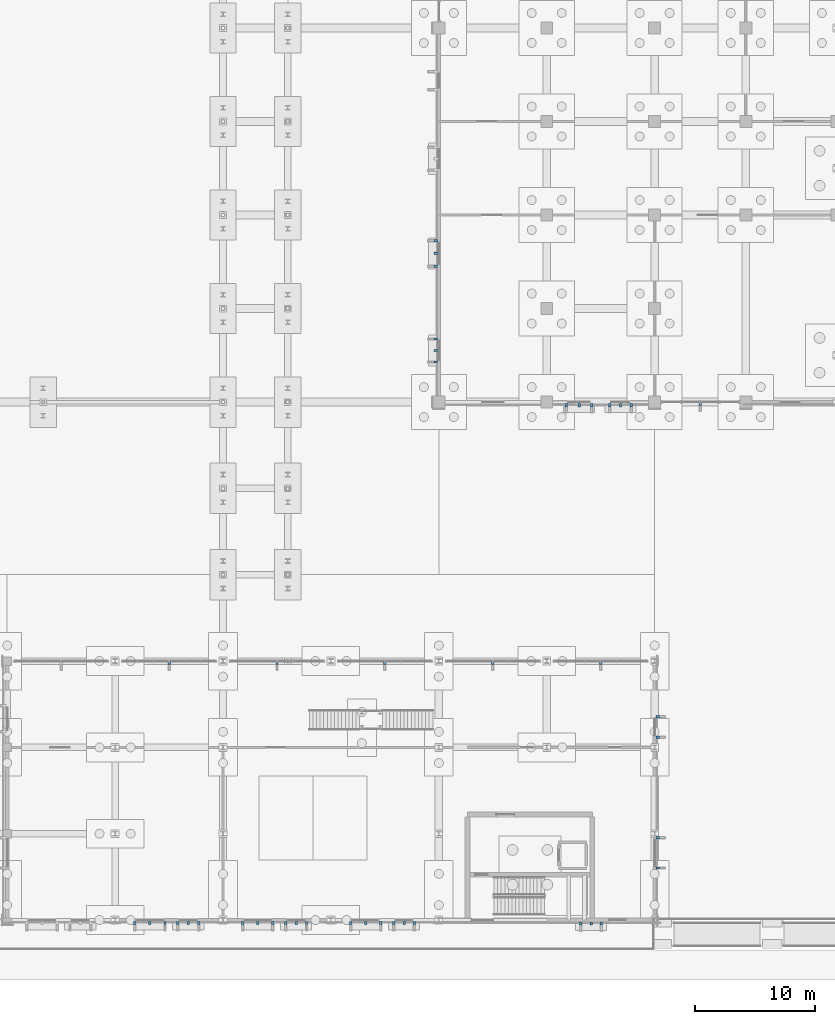
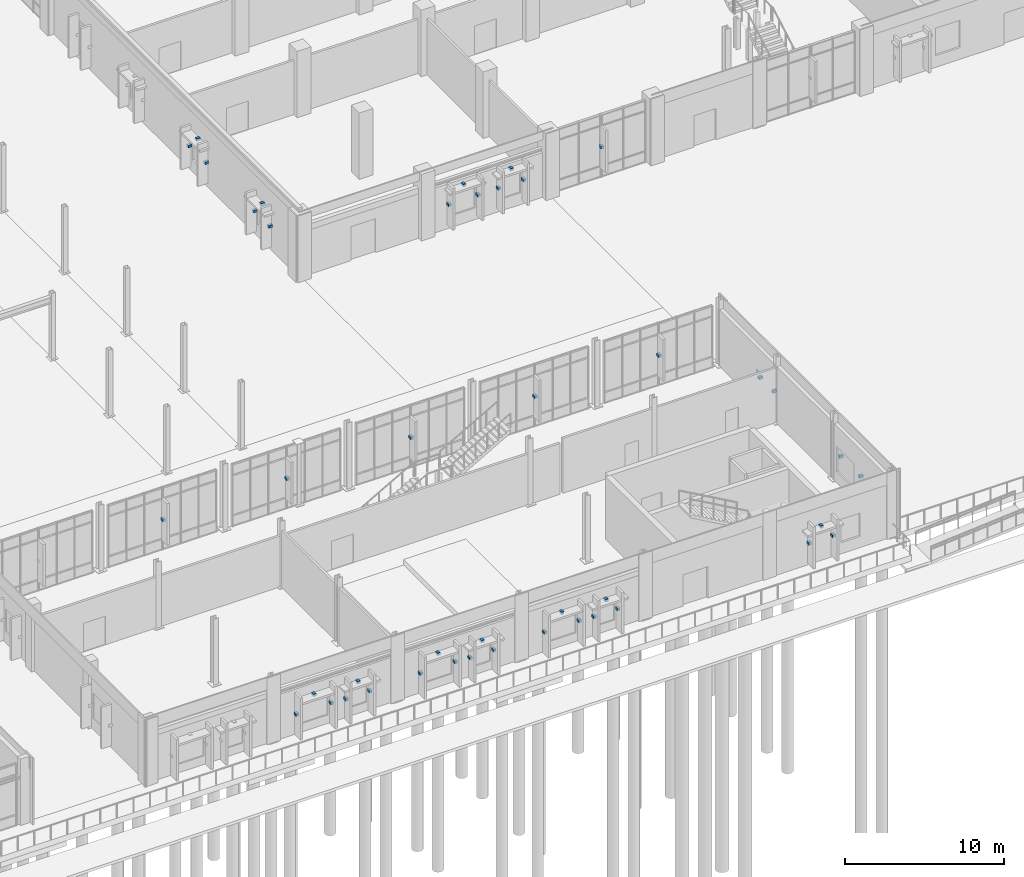
# One storey, part 74 of 94: 43 discrete accessories.
"""IFC4 building model written with IfcOpenShell, lengths in metres."""

from ifc_helpers import new_model, si_unit, direction, frame, origin, origin_2d, place, context, subcontext, project, spatial, rectangle, extrude, material, type_object, element, save


model = new_model("IFC4")

# Units and contexts
model_context = context("Model", 3, precision=1e-05, world=origin(), true_north=direction((0.0, 1.0)))
body_context = subcontext(model_context, "Body", "Model", "MODEL_VIEW")
ifc_project = project(units=[si_unit("LENGTHUNIT", "METRE"), si_unit("AREAUNIT", "SQUARE_METRE"), si_unit("VOLUMEUNIT", "CUBIC_METRE"), si_unit("PLANEANGLEUNIT", "RADIAN"), si_unit("MASSUNIT", "GRAM", prefix="KILO")], contexts=[model_context])

# Site, building, storey
site_placement = place(None, origin())
site = spatial("IfcSite", under=ifc_project, at=site_placement, CompositionType="ELEMENT")
building_placement = place(site_placement, origin())
building = spatial("IfcBuilding", under=site, at=building_placement, Name="Vervanel Yard Central Library", CompositionType="ELEMENT")
storey_placement = place(building_placement, origin())
storey = spatial("IfcBuildingStorey", under=building, at=storey_placement, Name="L00", CompositionType="ELEMENT", Elevation=0.0)

# Discrete accessories
ifc_material = material(Name="Steel ASTM A572 Grade 50", Category="steel")
discrete_accessory_type = type_object("IfcDiscreteAccessoryType", Name="Stainless Solar Fin Fixing Bracket", PredefinedType="BRACKET", material=ifc_material)
for number, where, z_axis, x_axis, name in (
    (1, (89.72998046875, 46.5400390625, 1.8251953125), (0.0, 0.0, 1.0), (0.0, 1.0, 0.0), "L00 Solar Fin Bracket 429"),
    (2, (89.72998046875, 48.4599609375, 1.8251953125), (0.0, 0.0, 1.0), (0.0, 1.0, 0.0), "L00 Solar Fin Bracket 430"),
    (3, (89.72998046875, 47.5, 2.9501953125), (0.0, 0.0, 1.0), (0.0, 1.0, 0.0), "L00 Sunhood Bracket 94"),
    (4, (89.72998046875, 54.5400390625, 1.85009765625), (0.0, 0.0, 1.0), (0.0, 1.0, 0.0), "L00 Solar Fin Bracket 431"),
    (5, (89.72998046875, 56.659912109375, 1.85009765625), (0.0, 0.0, 1.0), (0.0, 1.0, 0.0), "L00 Solar Fin Bracket 432"),
    (6, (89.72998046875, 55.60009765625, 3.0), (0.0, 0.0, 1.0), (0.0, 1.0, 0.0), "L00 Sunhood Bracket 95"),
    (7, (100.639892578125, 42.93994140625, 1.85009765625), (0.0, 0.0, 1.0), (1.0, 0.0, 0.0), "L00 Solar Fin Bracket 441"),
    (8, (102.760009765625, 42.93994140625, 1.85009765625), (0.0, 0.0, 1.0), (1.0, 0.0, 0.0), "L00 Solar Fin Bracket 442"),
    (9, (101.699951171875, 42.93994140625, 3.0), (0.0, 0.0, 1.0), (1.0, 0.0, 0.0), "L00 Sunhood Bracket 97"),
    (10, (104.239990234375, 42.93994140625, 1.85009765625), (0.0, 0.0, 1.0), (1.0, 0.0, 0.0), "L00 Solar Fin Bracket 443"),
    (11, (106.06005859375, 42.93994140625, 1.85009765625), (0.0, 0.0, 1.0), (1.0, 0.0, 0.0), "L00 Solar Fin Bracket 444"),
    (12, (105.14990234375, 42.93994140625, 3.0), (0.0, 0.0, 1.0), (1.0, 0.0, 0.0), "L00 Sunhood Bracket 98"),
    (13, (111.800048828125, 43.070068359375, 2.2900390625), (0.0, 0.0, 1.0), (1.0, 0.0, 0.0), "L00 Solar Fin Bracket 445"),
    (14, (64.639892578125, -0.25, 1.52490234375), (0.0, 0.0, 1.0), (1.0, 0.0, 0.0), "L00 Solar Fin Bracket 557"),
    (15, (67.159912109375, -0.25, 1.52490234375), (0.0, 0.0, 1.0), (1.0, 0.0, 0.0), "L00 Solar Fin Bracket 558"),
    (16, (65.89990234375, -0.25, 2.60009765625), (0.0, 0.0, 1.0), (1.0, 0.0, 0.0), "L00 Sunhood Bracket 104"),
    (17, (68.239990234375, -0.25, 1.4501953125), (0.0, 0.0, 1.0), (1.0, 0.0, 0.0), "L00 Solar Fin Bracket 559"),
    (18, (69.9599609375, -0.25, 1.4501953125), (0.0, 0.0, 1.0), (1.0, 0.0, 0.0), "L00 Solar Fin Bracket 560"),
    (19, (69.10009765625, -0.25, 2.4501953125), (0.0, 0.0, 1.0), (1.0, 0.0, 0.0), "L00 Sunhood Bracket 105"),
    (20, (73.639892578125, -0.25, 1.52490234375), (0.0, 0.0, 1.0), (1.0, 0.0, 0.0), "L00 Solar Fin Bracket 561"),
    (21, (76.159912109375, -0.25, 1.52490234375), (0.0, 0.0, 1.0), (1.0, 0.0, 0.0), "L00 Solar Fin Bracket 562"),
    (22, (74.89990234375, -0.25, 2.60009765625), (0.0, 0.0, 1.0), (1.0, 0.0, 0.0), "L00 Sunhood Bracket 106"),
    (23, (77.239990234375, -0.25, 1.4501953125), (0.0, 0.0, 1.0), (1.0, 0.0, 0.0), "L00 Solar Fin Bracket 563"),
    (24, (78.9599609375, -0.25, 1.4501953125), (0.0, 0.0, 1.0), (1.0, 0.0, 0.0), "L00 Solar Fin Bracket 564"),
    (25, (78.10009765625, -0.25, 2.4501953125), (0.0, 0.0, 1.0), (1.0, 0.0, 0.0), "L00 Sunhood Bracket 107"),
    (26, (82.639892578125, -0.25, 1.52490234375), (0.0, 0.0, 1.0), (1.0, 0.0, 0.0), "L00 Solar Fin Bracket 565"),
    (27, (85.159912109375, -0.25, 1.52490234375), (0.0, 0.0, 1.0), (1.0, 0.0, 0.0), "L00 Solar Fin Bracket 566"),
    (28, (83.89990234375, -0.25, 2.60009765625), (0.0, 0.0, 1.0), (1.0, 0.0, 0.0), "L00 Sunhood Bracket 108"),
    (29, (86.239990234375, -0.25, 1.4501953125), (0.0, 0.0, 1.0), (1.0, 0.0, 0.0), "L00 Solar Fin Bracket 567"),
    (30, (87.9599609375, -0.25, 1.4501953125), (0.0, 0.0, 1.0), (1.0, 0.0, 0.0), "L00 Solar Fin Bracket 568"),
    (31, (87.10009765625, -0.25, 2.4501953125), (0.0, 0.0, 1.0), (1.0, 0.0, 0.0), "L00 Sunhood Bracket 109"),
    (32, (101.840087890625, -0.2900390625, 1.64990234375), (0.0, 0.0, 1.0), (1.0, 0.0, 0.0), "L00 Solar Fin Bracket 569"),
    (33, (103.56005859375, -0.2900390625, 1.64990234375), (0.0, 0.0, 1.0), (1.0, 0.0, 0.0), "L00 Solar Fin Bracket 570"),
    (34, (102.699951171875, -0.2900390625, 2.64990234375), (0.0, 0.0, 1.0), (1.0, 0.0, 0.0), "L00 Sunhood Bracket 110"),
    (35, (67.5, 21.469970703125, 2.2900390625), (0.0, 0.0, 1.0), (1.0, 0.0, 0.0), "L00 Solar Fin Bracket 572"),
    (36, (76.5, 21.469970703125, 2.2900390625), (0.0, 0.0, 1.0), (1.0, 0.0, 0.0), "L00 Solar Fin Bracket 573"),
    (37, (85.5, 21.469970703125, 2.2900390625), (0.0, 0.0, 1.0), (1.0, 0.0, 0.0), "L00 Solar Fin Bracket 574"),
    (38, (94.5, 21.469970703125, 2.2900390625), (0.0, 0.0, 1.0), (1.0, 0.0, 0.0), "L00 Solar Fin Bracket 575"),
    (39, (103.5, 21.469970703125, 2.2900390625), (0.0, 0.0, 1.0), (1.0, 0.0, 0.0), "L00 Solar Fin Bracket 576"),
    (40, (108.25, 4.340087890625, 1.72509765625), (0.0, 0.0, 1.0), (0.0, 1.0, 0.0), "L00 Solar Fin Bracket 581"),
    (41, (108.25, 6.860107421875, 1.72509765625), (0.0, 0.0, 1.0), (0.0, 1.0, 0.0), "L00 Solar Fin Bracket 582"),
    (42, (108.25, 15.239990234375, 1.64990234375), (0.0, 0.0, 1.0), (0.0, 1.0, 0.0), "L00 Solar Fin Bracket 583"),
    (43, (108.25, 16.9599609375, 1.64990234375), (0.0, 0.0, 1.0), (0.0, 1.0, 0.0), "L00 Solar Fin Bracket 584"),
):
    element("IfcDiscreteAccessory", number, at=place(storey_placement, frame(where, z_axis=z_axis, x_axis=x_axis)), inside=storey, type_object=discrete_accessory_type, Name=name, PredefinedType="BRACKET", context=body_context, shape_type="SweptSolid", body=[
        extrude(rectangle(XDim=0.199951171875, YDim=0.280029296875, at=origin_2d()), origin(), (0.0, 0.0, 1.0), 0.199951171875),
    ])

save(model, "model.ifc")
